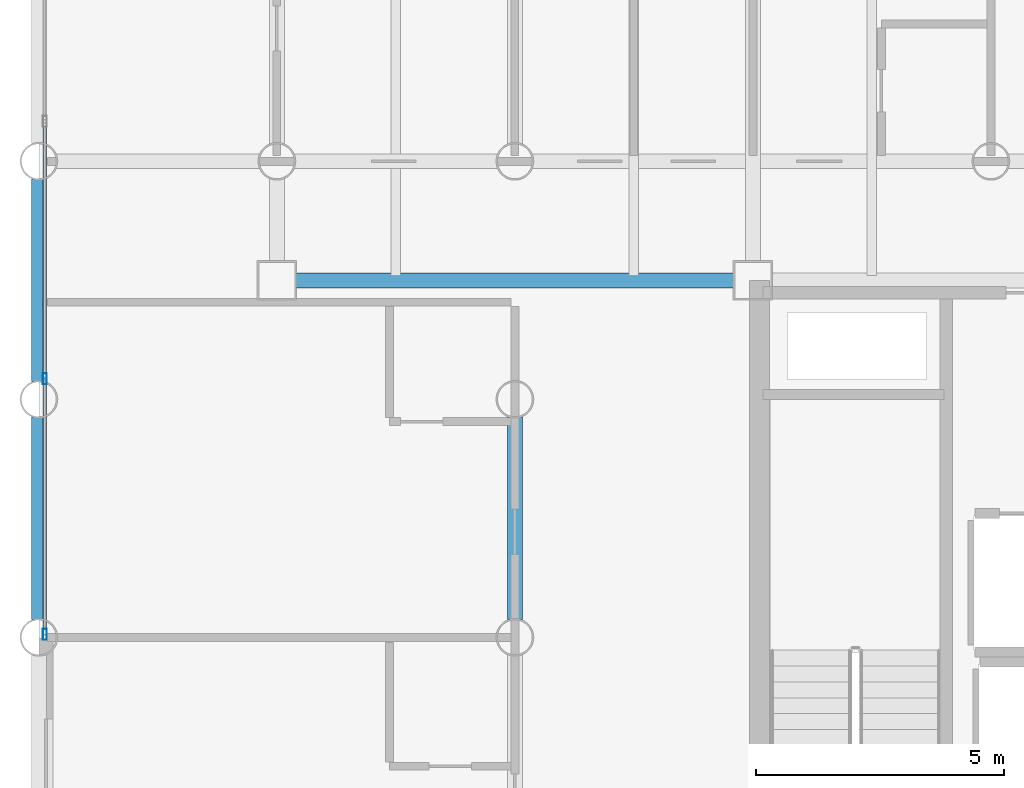
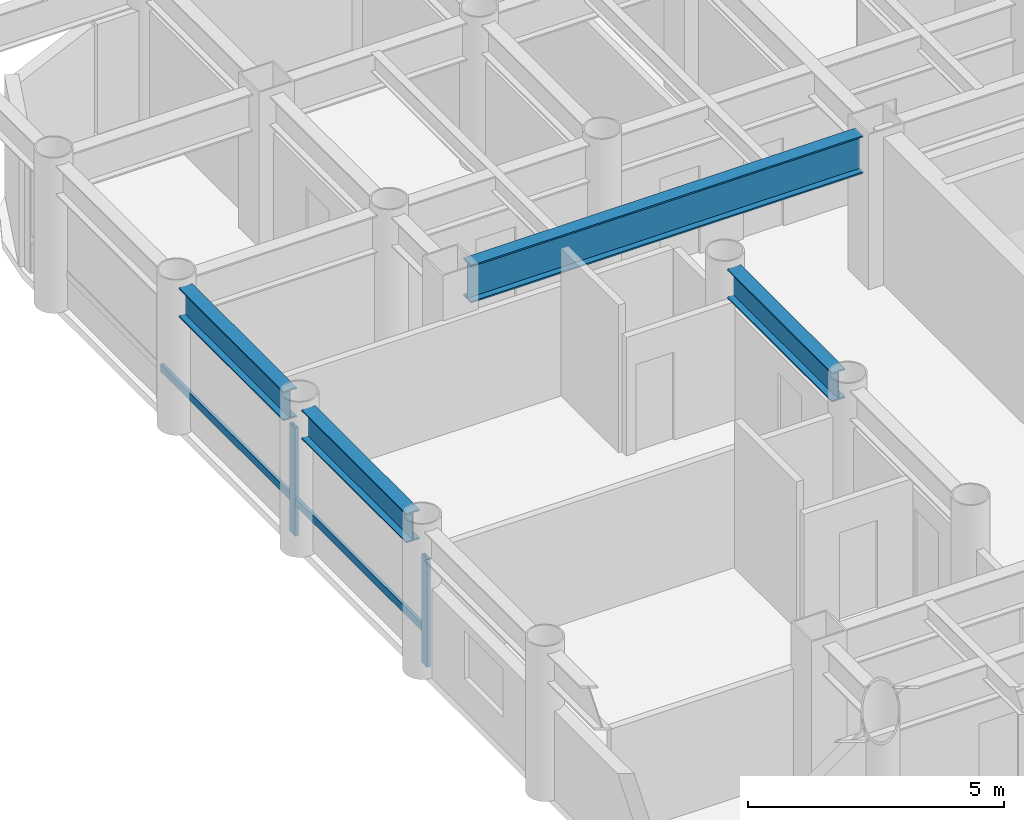
# One storey, part 4 of 20: 4 beams, 4 members, 1 element without a shape of its own.
"""IFC4 building model written with IfcOpenShell, lengths in metres."""

from ifc_helpers import new_model, si_unit, direction, frame, origin, origin_2d, place, context, subcontext, project, spatial, hollow_rectangle, i_section, extrude, material, layer, layer_set, material_profile, profile_set, type_object, element, aggregate, save


model = new_model("IFC4")

# Units and contexts
model_context = context("Model", 3, precision=1e-05, world=origin(), true_north=direction((0.0, 1.0)))
body_context = subcontext(model_context, "Body", "Model", "MODEL_VIEW")
ifc_project = project(units=[si_unit("LENGTHUNIT", "METRE"), si_unit("AREAUNIT", "SQUARE_METRE"), si_unit("VOLUMEUNIT", "CUBIC_METRE"), si_unit("PLANEANGLEUNIT", "RADIAN"), si_unit("MASSUNIT", "GRAM", prefix="KILO")], contexts=[model_context])

# Site, building, storey
site_placement = place(None, origin())
site = spatial("IfcSite", under=ifc_project, at=site_placement, CompositionType="ELEMENT")
building_placement = place(site_placement, origin())
building = spatial("IfcBuilding", under=site, at=building_placement, Name="Kallvorn Hotel Tower", CompositionType="ELEMENT")
storey_placement = place(building_placement, frame((0.0, 0.0, 70.699951171875)))
storey = spatial("IfcBuildingStorey", under=building, at=storey_placement, Name="L16", CompositionType="ELEMENT", Elevation=70.699951171875)

# Beams
ifc_material_1 = material(Name="Structural steel S355JR", Category="steel")
ifc_material_profile_1 = material_profile(ifc_material_1, i_section(OverallWidth=0.300048828125, OverallDepth=0.699951171875, WebThickness=0.01708984375, FlangeThickness=0.031982421875, at=origin_2d()), Name="HE 700 B")
ifc_profile_set_1 = profile_set([ifc_material_profile_1], Name="Structural steel S355JR")
beam_type_1 = type_object("IfcBeamType", Name="BM_HE700B", PredefinedType="BEAM", material=ifc_profile_set_1)
beam_1_placement = place(storey_placement, frame((-28.800048828125, 0.35595703125, 3.170166015625), z_axis=(0.0, 1.0, 0.0), x_axis=(-1.0, 0.0, 0.0)))
element("IfcBeam", 1, at=beam_1_placement, inside=storey, type_object=beam_type_1, Name="L17 Primary Y-Girder 77", PredefinedType="BEAM", context=body_context, shape_type="SweptSolid", body=[
    extrude(i_section(OverallWidth=0.300048828125, OverallDepth=0.699951171875, WebThickness=0.01708984375, FlangeThickness=0.031982421875, at=origin_2d()), origin(), (0.0, 0.0, 1.0), 4.088134765625),
])
beam_2_placement = place(storey_placement, frame((-28.800048828125, 5.156005859375, 3.170166015625), z_axis=(0.0, 1.0, 0.0), x_axis=(-1.0, 0.0, 0.0)))
element("IfcBeam", 2, at=beam_2_placement, inside=storey, type_object=beam_type_1, Name="L17 Primary Y-Girder 78", PredefinedType="BEAM", context=body_context, shape_type="SweptSolid", body=[
    extrude(i_section(OverallWidth=0.300048828125, OverallDepth=0.699951171875, WebThickness=0.01708984375, FlangeThickness=0.031982421875, at=origin_2d()), origin(), (0.0, 0.0, 1.0), 4.087890625),
])
beam_3_placement = place(storey_placement, frame((-19.199951171875, 0.35595703125, 3.170166015625), z_axis=(0.0, 1.0, 0.0), x_axis=(-1.0, 0.0, 0.0)))
element("IfcBeam", 3, at=beam_3_placement, inside=storey, type_object=beam_type_1, Name="L17 Primary Y-Girder 93", PredefinedType="BEAM", context=body_context, shape_type="SweptSolid", body=[
    extrude(i_section(OverallWidth=0.300048828125, OverallDepth=0.699951171875, WebThickness=0.01708984375, FlangeThickness=0.031982421875, at=origin_2d()), origin(), (0.0, 0.0, 1.0), 4.088134765625),
])
ifc_material_2 = material(Name="Structural steel S355JR", Category="steel")
ifc_material_profile_2 = material_profile(ifc_material_2, i_section(OverallWidth=0.300048828125, OverallDepth=0.89990234375, WebThickness=0.0185546875, FlangeThickness=0.034912109375, at=origin_2d()), Name="HE 900 B")
ifc_profile_set_2 = profile_set([ifc_material_profile_2], Name="Structural steel S355JR")
beam_type_2 = type_object("IfcBeamType", Name="BM_HE900B", PredefinedType="BEAM", material=ifc_profile_set_2)
beam_4_placement = place(storey_placement, frame((-23.625, 7.199951171875, 3.070068359375), z_axis=(1.0, 0.0, 0.0), x_axis=(0.0, 1.0, 0.0)))
element("IfcBeam", 4, at=beam_4_placement, inside=storey, type_object=beam_type_2, Name="L17 Primary X-Girder 37", PredefinedType="BEAM", context=body_context, shape_type="SweptSolid", body=[
    extrude(i_section(OverallWidth=0.300048828125, OverallDepth=0.89990234375, WebThickness=0.0185546875, FlangeThickness=0.034912109375, at=origin_2d()), origin(), (0.0, 0.0, 1.0), 8.85009765625),
])

# Curtain wall, members
ifc_material_3 = material(Name="Thermally broken black-anodised aluminium AA 6063-T6", Category="aluminium")
ifc_layer = layer(ifc_material_3, 0.199951171875)
ifc_layer_set = layer_set([ifc_layer], Name="CW_SYS_3_HOTEL_LOW")
curtain_wall_type = type_object("IfcCurtainWallType", Name="CW_SYS_3_HOTEL_LOW", PredefinedType="USERDEFINED", material=ifc_layer_set)
curtain_wall_placement = place(storey_placement, origin())
curtain_wall = element("IfcCurtainWall", 5, at=curtain_wall_placement, inside=storey, type_object=curtain_wall_type, Name="L16 Dark-Glass Curtain Wall CW-L16-WN", ObjectType="UNITISED CURTAIN WALL", PredefinedType="USERDEFINED")
ifc_material_4 = material(Name="Thermally broken black-anodised aluminium AA 6063-T6", Category="aluminium")
ifc_material_profile_3 = material_profile(ifc_material_4, hollow_rectangle(XDim=0.080078125, YDim=0.219970703125, WallThickness=0.0048828125, at=origin_2d()), Name="MUL 220x80")
ifc_profile_set_3 = profile_set([ifc_material_profile_3], Name="Thermally broken black-anodised aluminium AA 6063-T6")
member_type_1 = type_object("IfcMemberType", Name="CW_MULLION_220x80", PredefinedType="MULLION", material=ifc_profile_set_3)
member_1_placement = place(storey_placement, frame((-28.679931640625, 0.06005859375, 0.02001953125), z_axis=(0.0, 0.0, 1.0), x_axis=(1.0, 0.0, 0.0)))
member_1 = element("IfcMember", 6, at=member_1_placement, type_object=member_type_1, Name="CW-L16-WN Mullion 00", PredefinedType="MULLION", context=body_context, shape_type="SweptSolid", body=[
    extrude(hollow_rectangle(XDim=0.080078125, YDim=0.219970703125, WallThickness=0.0048828125, at=origin_2d()), origin(), (0.0, 0.0, 1.0), 2.580078125),
])
member_2_placement = place(storey_placement, frame((-28.679931640625, 5.21337890625, 0.02001953125), z_axis=(0.0, 0.0, 1.0), x_axis=(1.0, 0.0, 0.0)))
member_2 = element("IfcMember", 7, at=member_2_placement, type_object=member_type_1, Name="CW-L16-WN Mullion 01", PredefinedType="MULLION", context=body_context, shape_type="SweptSolid", body=[
    extrude(hollow_rectangle(XDim=0.080078125, YDim=0.219970703125, WallThickness=0.0048828125, at=origin_2d()), origin(), (0.0, 0.0, 1.0), 2.580078125),
])
ifc_material_5 = material(Name="Thermally broken black-anodised aluminium AA 6063-T6", Category="aluminium")
ifc_material_profile_4 = material_profile(ifc_material_5, hollow_rectangle(XDim=0.070068359375, YDim=0.179931640625, WallThickness=0.00390625, at=origin_2d()), Name="TRN 180x70")
ifc_profile_set_4 = profile_set([ifc_material_profile_4], Name="Thermally broken black-anodised aluminium AA 6063-T6")
member_type_2 = type_object("IfcMemberType", Name="CW_TRANSOM_180x70", PredefinedType="USERDEFINED", material=ifc_profile_set_4)
member_3_placement = place(storey_placement, frame((-28.679931640625, 0.06005859375, 0.85009765625), z_axis=(0.0, 1.0, 0.0), x_axis=(-1.0, 0.0, 0.0)))
member_3 = element("IfcMember", 8, at=member_3_placement, type_object=member_type_2, Name="CW-L16-WN Transom 00M", ObjectType="TRANSOM", PredefinedType="USERDEFINED", context=body_context, shape_type="SweptSolid", body=[
    extrude(hollow_rectangle(XDim=0.070068359375, YDim=0.179931640625, WallThickness=0.00390625, at=origin_2d()), origin(), (0.0, 0.0, 1.0), 5.11328125),
])
member_4_placement = place(storey_placement, frame((-28.679931640625, 5.25341796875, 0.85009765625), z_axis=(0.0, 1.0, 0.0), x_axis=(-1.0, 0.0, 0.0)))
member_4 = element("IfcMember", 9, at=member_4_placement, type_object=member_type_2, Name="CW-L16-WN Transom 01M", ObjectType="TRANSOM", PredefinedType="USERDEFINED", context=body_context, shape_type="SweptSolid", body=[
    extrude(hollow_rectangle(XDim=0.070068359375, YDim=0.179931640625, WallThickness=0.00390625, at=origin_2d()), origin(), (0.0, 0.0, 1.0), 5.11328125),
])
aggregate(curtain_wall, [member_1, member_2, member_3, member_4])

save(model, "model.ifc")
